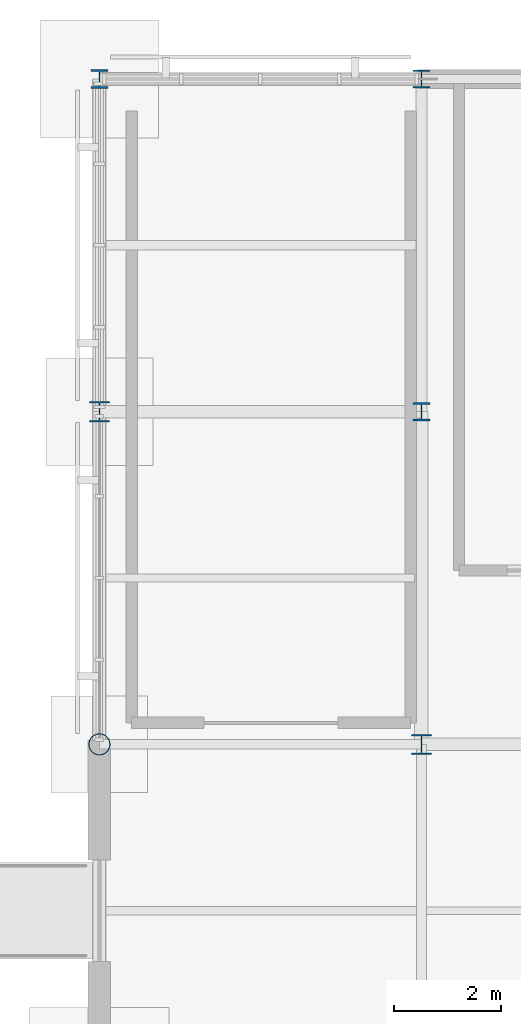
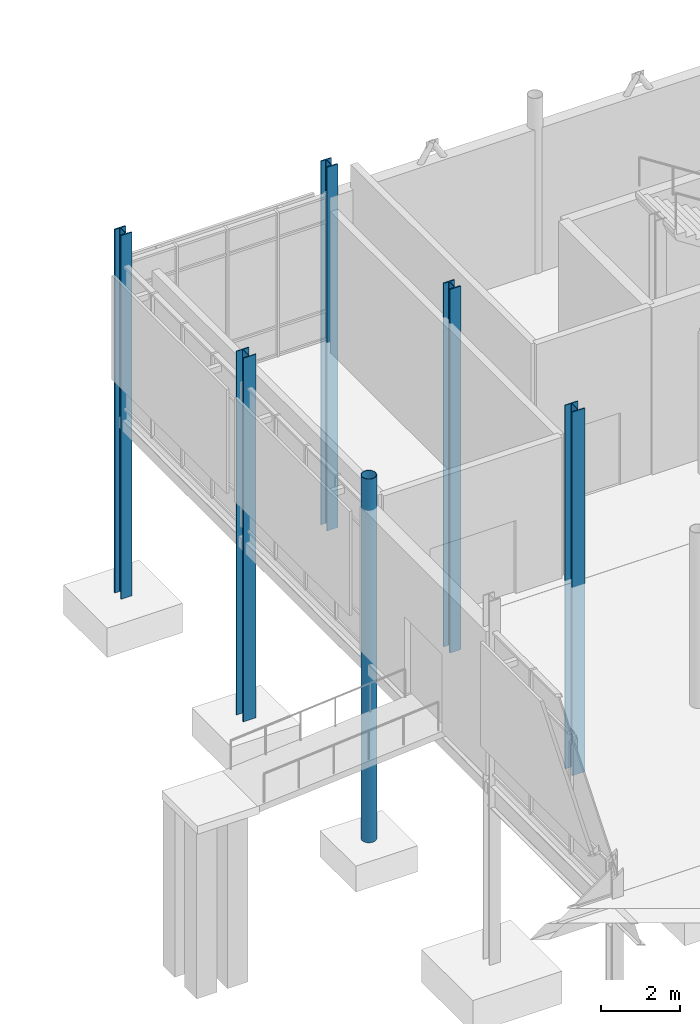
# One storey, part 19 of 98: 6 columns.
"""IFC4 building model written with IfcOpenShell, lengths in metres."""

from ifc_helpers import new_model, si_unit, direction, frame, origin, origin_2d, place, context, subcontext, project, spatial, hollow_circle, i_section, extrude, material, material_profile, profile_set, type_object, element, save


model = new_model("IFC4")

# Units and contexts
model_context = context("Model", 3, precision=1e-05, world=origin(), true_north=direction((0.0, 1.0)))
body_context = subcontext(model_context, "Body", "Model", "MODEL_VIEW")
ifc_project = project(units=[si_unit("LENGTHUNIT", "METRE"), si_unit("AREAUNIT", "SQUARE_METRE"), si_unit("VOLUMEUNIT", "CUBIC_METRE"), si_unit("PLANEANGLEUNIT", "RADIAN"), si_unit("MASSUNIT", "GRAM", prefix="KILO")], contexts=[model_context])

# Site, building, storey
site_placement = place(None, origin())
site = spatial("IfcSite", under=ifc_project, at=site_placement, CompositionType="ELEMENT")
building_placement = place(site_placement, origin())
building = spatial("IfcBuilding", under=site, at=building_placement, Name="Mirzam Square Science Centre", CompositionType="ELEMENT")
storey_placement = place(building_placement, origin())
storey = spatial("IfcBuildingStorey", under=building, at=storey_placement, Name="L00", CompositionType="ELEMENT", Elevation=0.0)

# Columns
ifc_material = material(Name="Steel S355", Category="steel")
ifc_material_profile_1 = material_profile(ifc_material, hollow_circle(Radius=0.203125, WallThickness=0.01611328125, at=origin_2d()), Name="406.4x16.0CHS")
ifc_profile_set_1 = profile_set([ifc_material_profile_1], Name="Steel S355")
column_type_1 = type_object("IfcColumnType", Name="COL-CHS406", PredefinedType="COLUMN", material=ifc_profile_set_1)
column_1_placement = place(storey_placement, frame((114.0, 99.199951171875, -5.800048828125), z_axis=(0.0, 0.0, 1.0), x_axis=(1.0, 0.0, 0.0)))
element("IfcColumn", 1, at=column_1_placement, inside=storey, type_object=column_type_1, Name="L00 column G20-17", PredefinedType="COLUMN", context=body_context, shape_type="SweptSolid", body=[
    extrude(hollow_circle(Radius=0.203125, WallThickness=0.01611328125, at=origin_2d()), origin(), (0.0, 0.0, 1.0), 11.199951171875),
])
ifc_material_profile_2 = material_profile(ifc_material, i_section(OverallWidth=0.314453125, OverallDepth=0.33984375, WebThickness=0.01904296875, FlangeThickness=0.031494140625, FilletRadius=0.01513671875, at=origin_2d()), Name="305x305x198UC")
ifc_profile_set_2 = profile_set([ifc_material_profile_2], Name="Steel S355")
column_type_2 = type_object("IfcColumnType", Name="COL-UC305B", PredefinedType="COLUMN", material=ifc_profile_set_2)
column_2_placement = place(storey_placement, frame((120.0, 111.60009765625, -5.800048828125), z_axis=(0.0, 0.0, 1.0), x_axis=(1.0, 0.0, 0.0)))
element("IfcColumn", 2, at=column_2_placement, inside=storey, type_object=column_type_2, Name="L00 column G21-19", PredefinedType="COLUMN", context=body_context, shape_type="SweptSolid", body=[
    extrude(i_section(OverallWidth=0.314453125, OverallDepth=0.33984375, WebThickness=0.01904296875, FlangeThickness=0.031494140625, FilletRadius=0.01513671875, at=origin_2d()), origin(), (0.0, 0.0, 1.0), 11.199951171875),
])
ifc_material_profile_3 = material_profile(ifc_material, i_section(OverallWidth=0.318359375, OverallDepth=0.3525390625, WebThickness=0.02294921875, FlangeThickness=0.03759765625, FilletRadius=0.01513671875, at=origin_2d()), Name="305x305x240UC")
ifc_profile_set_3 = profile_set([ifc_material_profile_3], Name="Steel S355")
column_type_3 = type_object("IfcColumnType", Name="COL-UC305C", PredefinedType="COLUMN", material=ifc_profile_set_3)
for number, where, z_axis, x_axis, name in (
    (3, (114.0, 111.60009765625, -5.800048828125), (0.0, 0.0, 1.0), (1.0, 0.0, 0.0), "L00 column G20-19"),
    (4, (120.0, 105.39990234375, -5.800048828125), (0.0, 0.0, 1.0), (1.0, 0.0, 0.0), "L00 column G21-18"),
):
    element("IfcColumn", number, at=place(storey_placement, frame(where, z_axis=z_axis, x_axis=x_axis)), inside=storey, type_object=column_type_3, Name=name, PredefinedType="COLUMN", context=body_context, shape_type="SweptSolid", body=[
        extrude(i_section(OverallWidth=0.318359375, OverallDepth=0.3525390625, WebThickness=0.02294921875, FlangeThickness=0.03759765625, FilletRadius=0.01513671875, at=origin_2d()), origin(), (0.0, 0.0, 1.0), 11.199951171875),
    ])
ifc_material_profile_4 = material_profile(ifc_material, i_section(OverallWidth=0.374755859375, OverallDepth=0.37451171875, WebThickness=0.0166015625, FlangeThickness=0.027099609375, FilletRadius=0.01513671875, at=origin_2d()), Name="356x368x202UC")
ifc_profile_set_4 = profile_set([ifc_material_profile_4], Name="Steel S355")
column_type_4 = type_object("IfcColumnType", Name="COL-UC356A", PredefinedType="COLUMN", material=ifc_profile_set_4)
for number, where, z_axis, x_axis, name in (
    (5, (114.0, 105.39990234375, -5.800048828125), (0.0, 0.0, 1.0), (1.0, 0.0, 0.0), "L00 column G20-18"),
    (6, (120.0, 99.199951171875, -5.800048828125), (0.0, 0.0, 1.0), (1.0, 0.0, 0.0), "L00 column G21-17"),
):
    element("IfcColumn", number, at=place(storey_placement, frame(where, z_axis=z_axis, x_axis=x_axis)), inside=storey, type_object=column_type_4, Name=name, PredefinedType="COLUMN", context=body_context, shape_type="SweptSolid", body=[
        extrude(i_section(OverallWidth=0.374755859375, OverallDepth=0.37451171875, WebThickness=0.0166015625, FlangeThickness=0.027099609375, FilletRadius=0.01513671875, at=origin_2d()), origin(), (0.0, 0.0, 1.0), 11.199951171875),
    ])

save(model, "model.ifc")
